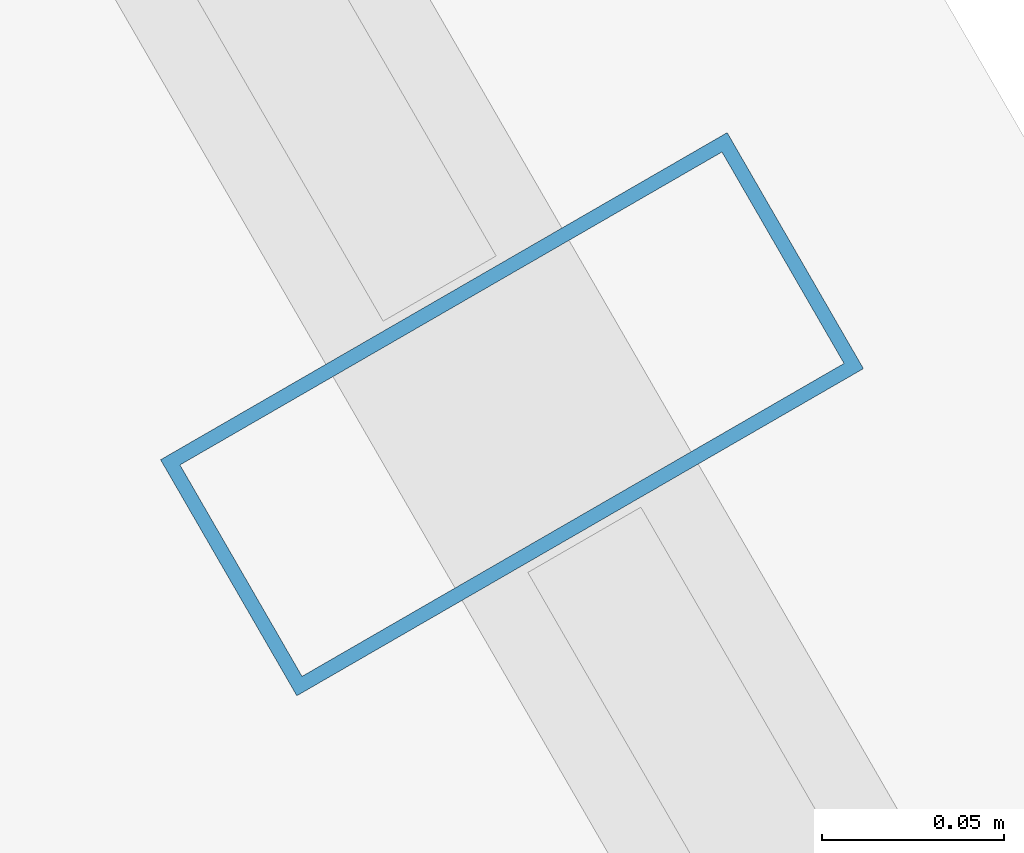
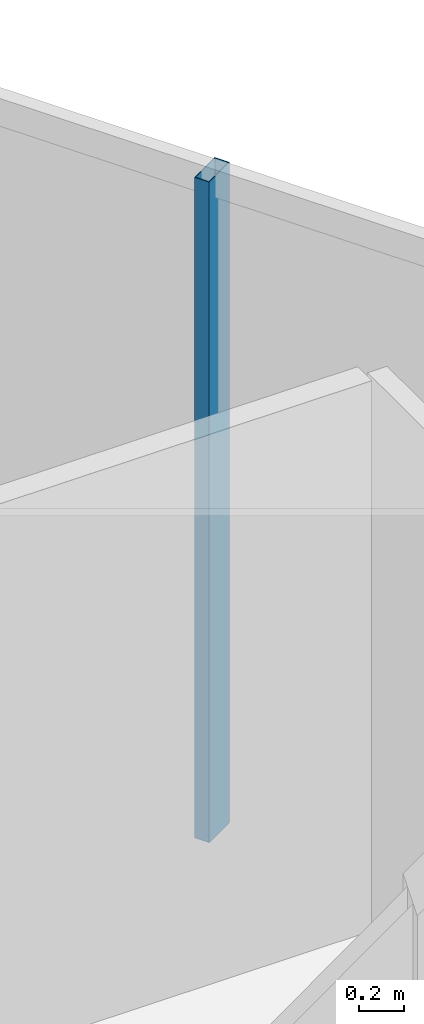
# One storey, part 20 of 32: 1 member, 1 element without a shape of its own.
"""IFC4 building model written with IfcOpenShell, lengths in metres."""

from ifc_helpers import new_model, si_unit, direction, frame, origin, origin_2d, place, context, subcontext, project, spatial, hollow_rectangle, extrude, material, layer, layer_set, material_profile, profile_set, type_object, element, aggregate, save


model = new_model("IFC4")

# Units and contexts
model_context = context("Model", 3, precision=1e-05, world=origin(), true_north=direction((0.0, 1.0)))
body_context = subcontext(model_context, "Body", "Model", "MODEL_VIEW")
ifc_project = project(units=[si_unit("LENGTHUNIT", "METRE"), si_unit("AREAUNIT", "SQUARE_METRE"), si_unit("VOLUMEUNIT", "CUBIC_METRE"), si_unit("PLANEANGLEUNIT", "RADIAN"), si_unit("MASSUNIT", "GRAM", prefix="KILO")], contexts=[model_context])

# Site, building, storey
site_placement = place(None, origin())
site = spatial("IfcSite", under=ifc_project, at=site_placement, CompositionType="ELEMENT")
building_placement = place(site_placement, origin())
building = spatial("IfcBuilding", under=site, at=building_placement, Name="Ndaravel Arena Tower", CompositionType="ELEMENT")
storey_placement = place(building_placement, frame((0.0, 0.0, 259.800048828125)))
storey = spatial("IfcBuildingStorey", under=building, at=storey_placement, Name="L63", CompositionType="ELEMENT", Elevation=259.800048828125)

# Curtain wall, member
ifc_material_1 = material(Name="Aluminium", Category="aluminium")
ifc_layer = layer(ifc_material_1, 0.179931640625)
ifc_layer_set = layer_set([ifc_layer], Name="Aluminium")
curtain_wall_type = type_object("IfcCurtainWallType", Name="CW-SYS-03", PredefinedType="NOTDEFINED", material=ifc_layer_set)
curtain_wall_placement = place(storey_placement, origin())
curtain_wall = element("IfcCurtainWall", 1, at=curtain_wall_placement, inside=storey, type_object=curtain_wall_type, Name="L63 Faceted Crystal Curtain Wall CW-L63-E03", PredefinedType="NOTDEFINED")
ifc_material_2 = material(Name="Aluminium", Category="aluminium")
ifc_material_profile = material_profile(ifc_material_2, hollow_rectangle(XDim=0.074951171875, YDim=0.179931640625, WallThickness=0.00390625, at=origin_2d()), Name="CW MULLION 75x180x4")
ifc_profile_set = profile_set([ifc_material_profile], Name="Aluminium")
member_type = type_object("IfcMemberType", Name="MEM-CW-MUL180", PredefinedType="MULLION", material=ifc_profile_set)
member_placement = place(storey_placement, frame((60.416015625, 18.001953125, 0.0), z_axis=(0.0, 0.0, 1.0), x_axis=(-0.5, 0.866025403784, 0.0)))
member = element("IfcMember", 2, at=member_placement, type_object=member_type, Name="CW-L63-E03 Mullion 02", PredefinedType="MULLION", context=body_context, shape_type="SweptSolid", body=[
    extrude(hollow_rectangle(XDim=0.074951171875, YDim=0.179931640625, WallThickness=0.00390625, at=origin_2d()), origin(), (0.0, 0.0, 1.0), 3.579833984375),
])
aggregate(curtain_wall, [member])

save(model, "model.ifc")
